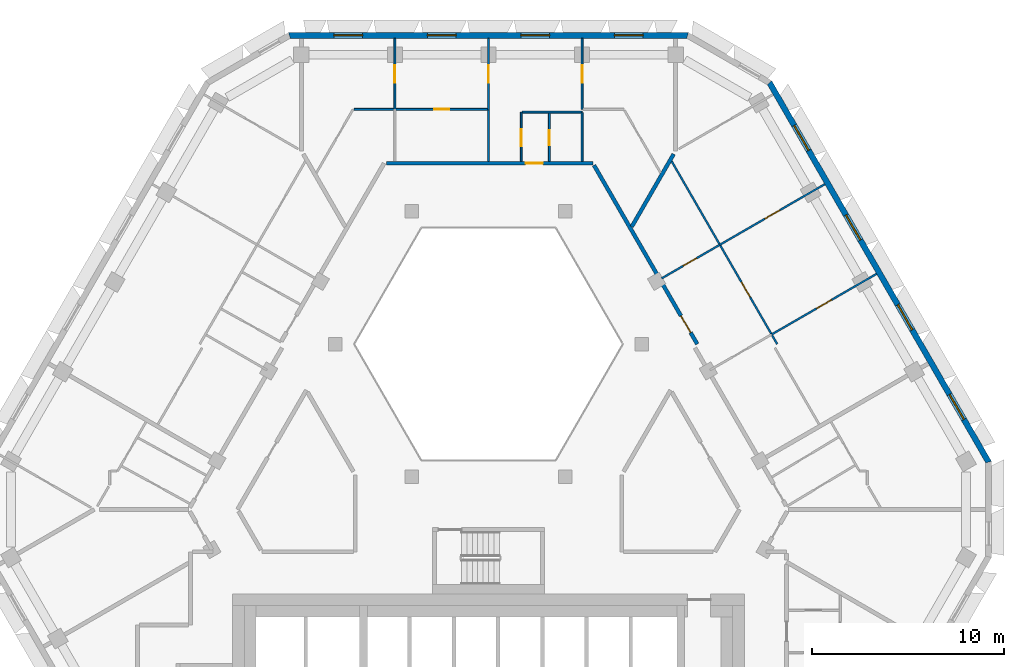
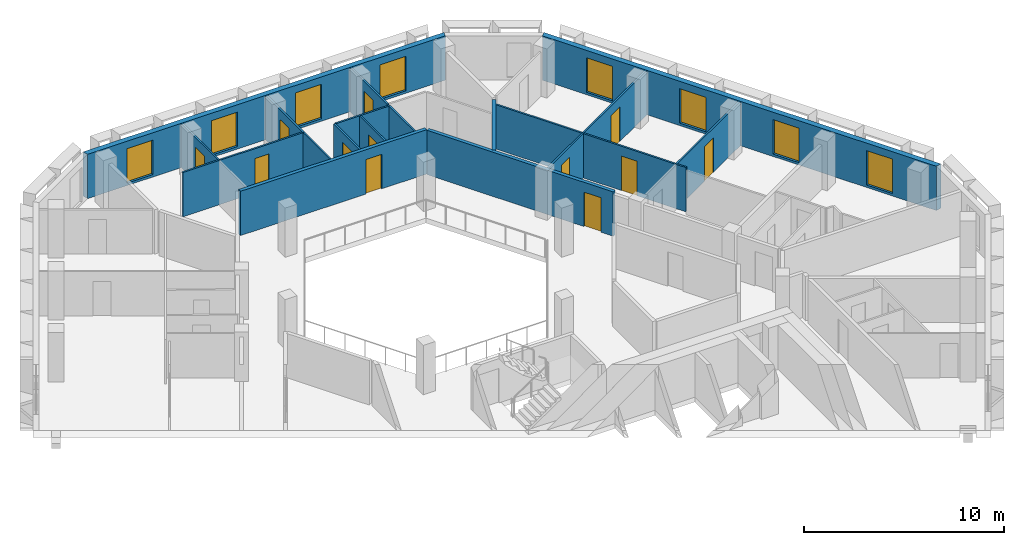
# One storey, part 7 of 15: 18 walls, 12 doors, 8 windows, 20 openings.
"""IFC4 building model written with IfcOpenShell, lengths in metres."""

from ifc_helpers import new_model, si_unit, direction, frame, frame_2d, origin, place, context, subcontext, project, spatial, polyline, rectangle, outline, extrude, material, layer, layer_set, type_object, element, fill, save


model = new_model("IFC4")

# Units and contexts
model_context = context("Model", 3, precision=1e-05, world=origin(), true_north=direction((0.0, 1.0)))
body_context = subcontext(model_context, "Body", "Model", "MODEL_VIEW")
ifc_project = project(units=[si_unit("LENGTHUNIT", "METRE"), si_unit("AREAUNIT", "SQUARE_METRE"), si_unit("VOLUMEUNIT", "CUBIC_METRE"), si_unit("PLANEANGLEUNIT", "RADIAN"), si_unit("MASSUNIT", "GRAM", prefix="KILO")], contexts=[model_context])

# Site, building, storey
site_placement = place(None, origin())
site = spatial("IfcSite", under=ifc_project, at=site_placement, CompositionType="ELEMENT")
building_placement = place(site_placement, origin())
building = spatial("IfcBuilding", under=site, at=building_placement, Name="Beryl Residences", CompositionType="ELEMENT")
storey_placement = place(building_placement, frame((0.0, 0.0, 193.199951171875)))
storey = spatial("IfcBuildingStorey", under=building, at=storey_placement, Name="L59", CompositionType="ELEMENT", Elevation=193.199951171875)

# Wall, openings, windows
ifc_material_1 = material(Name="Composite metal panel with mineral wool insulation")
ifc_layer_1 = layer(ifc_material_1, 0.300048828125)
ifc_layer_set_1 = layer_set([ifc_layer_1], Name="ES1 pale metal composite panel wall 300 mm")
wall_type_1 = type_object("IfcWallType", Name="ES1 pale metal composite panel wall 300 mm", PredefinedType="SOLIDWALL", material=ifc_layer_set_1)
wall_1_placement = place(storey_placement, frame((10.39208984375, 24.050048828125, 0.0), z_axis=(0.0, 0.0, 1.0), x_axis=(-1.0, 0.0, 0.0)))
wall_1 = element("IfcWall", 1, at=wall_1_placement, inside=storey, type_object=wall_type_1, Name="ES1 external wall L59 N", PredefinedType="SOLIDWALL", context=body_context, shape_type="SweptSolid", body=[
    extrude(outline(polyline([(0.0, -0.14990234375), (20.7841796875, -0.14990234375), (20.703857421875, 0.14990234375), (0.080322265625, 0.14990234375), (0.0, -0.14990234375)])), origin(), (0.0, 0.0, 1.0), 2.699951171875),
])
opening_1_placement = place(wall_1_placement, frame((2.345947265625, 0.0, 0.14990234375)))
opening_1 = element("IfcOpeningElement", 2, at=opening_1_placement, cuts=wall_1, Name="Opening W1", PredefinedType="OPENING", context=body_context, shape_type="SweptSolid", body=[
    extrude(rectangle(XDim=1.5, YDim=2.10009765625, at=frame_2d((0.75, 1.050048828125))), frame((0.0, 0.159912109375, 0.0), z_axis=(0.0, -1.0, 0.0), x_axis=(1.0, 0.0, 0.0)), (0.0, 0.0, 1.0), 0.320068359375),
])
opening_2_placement = place(wall_1_placement, frame((7.2099609375, 0.0, 0.14990234375)))
opening_2 = element("IfcOpeningElement", 3, at=opening_2_placement, cuts=wall_1, Name="Opening W1", PredefinedType="OPENING", context=body_context, shape_type="SweptSolid", body=[
    extrude(rectangle(XDim=1.5, YDim=2.10009765625, at=frame_2d((0.75, 1.050048828125))), frame((0.0, 0.159912109375, 0.0), z_axis=(0.0, -1.0, 0.0), x_axis=(1.0, 0.0, 0.0)), (0.0, 0.0, 1.0), 0.320068359375),
])
opening_3_placement = place(wall_1_placement, frame((12.073974609375, 0.0, 0.14990234375)))
opening_3 = element("IfcOpeningElement", 4, at=opening_3_placement, cuts=wall_1, Name="Opening W1", PredefinedType="OPENING", context=body_context, shape_type="SweptSolid", body=[
    extrude(rectangle(XDim=1.5, YDim=2.10009765625, at=frame_2d((0.75, 1.050048828125))), frame((0.0, 0.159912109375, 0.0), z_axis=(0.0, -1.0, 0.0), x_axis=(1.0, 0.0, 0.0)), (0.0, 0.0, 1.0), 0.320068359375),
])
opening_4_placement = place(wall_1_placement, frame((16.93798828125, 0.0, 0.14990234375)))
opening_4 = element("IfcOpeningElement", 5, at=opening_4_placement, cuts=wall_1, Name="Opening W1", PredefinedType="OPENING", context=body_context, shape_type="SweptSolid", body=[
    extrude(rectangle(XDim=1.5, YDim=2.10009765625, at=frame_2d((0.75, 1.050048828125))), frame((0.0, 0.159912109375, 0.0), z_axis=(0.0, -1.0, 0.0), x_axis=(1.0, 0.0, 0.0)), (0.0, 0.0, 1.0), 0.320068359375),
])
ifc_material_2 = material(Name="Aluminium and clear glass", Category="aluminium")
window_type = type_object("IfcWindowType", Name="W1 cell window 1500 x 2100 mm", PartitioningType="SINGLE_PANEL", PredefinedType="WINDOW", material=ifc_material_2)
window_1_placement = place(opening_1_placement, origin())
window_1 = element("IfcWindow", 6, at=window_1_placement, inside=storey, type_object=window_type, Name="W1 window L59 N 2", OverallHeight=2.10009765625, OverallWidth=1.5, PartitioningType="SINGLE_PANEL", PredefinedType="WINDOW", context=body_context, shape_type="SweptSolid", body=[
    extrude(rectangle(XDim=1.5, YDim=2.10009765625, at=frame_2d((0.75, 1.050048828125))), frame((0.0, 0.030029296875, 0.0), z_axis=(0.0, -1.0, 0.0), x_axis=(1.0, 0.0, 0.0)), (0.0, 0.0, 1.0), 0.06005859375),
])
fill(opening_1, window_1)
window_2_placement = place(opening_2_placement, origin())
window_2 = element("IfcWindow", 7, at=window_2_placement, inside=storey, type_object=window_type, Name="W1 window L59 N 4", OverallHeight=2.10009765625, OverallWidth=1.5, PartitioningType="SINGLE_PANEL", PredefinedType="WINDOW", context=body_context, shape_type="SweptSolid", body=[
    extrude(rectangle(XDim=1.5, YDim=2.10009765625, at=frame_2d((0.75, 1.050048828125))), frame((0.0, 0.030029296875, 0.0), z_axis=(0.0, -1.0, 0.0), x_axis=(1.0, 0.0, 0.0)), (0.0, 0.0, 1.0), 0.06005859375),
])
fill(opening_2, window_2)
window_3_placement = place(opening_3_placement, origin())
window_3 = element("IfcWindow", 8, at=window_3_placement, inside=storey, type_object=window_type, Name="W1 window L59 N 6", OverallHeight=2.10009765625, OverallWidth=1.5, PartitioningType="SINGLE_PANEL", PredefinedType="WINDOW", context=body_context, shape_type="SweptSolid", body=[
    extrude(rectangle(XDim=1.5, YDim=2.10009765625, at=frame_2d((0.75, 1.050048828125))), frame((0.0, 0.030029296875, 0.0), z_axis=(0.0, -1.0, 0.0), x_axis=(1.0, 0.0, 0.0)), (0.0, 0.0, 1.0), 0.06005859375),
])
fill(opening_3, window_3)
window_4_placement = place(opening_4_placement, origin())
window_4 = element("IfcWindow", 9, at=window_4_placement, inside=storey, type_object=window_type, Name="W1 window L59 N 8", OverallHeight=2.10009765625, OverallWidth=1.5, PartitioningType="SINGLE_PANEL", PredefinedType="WINDOW", context=body_context, shape_type="SweptSolid", body=[
    extrude(rectangle(XDim=1.5, YDim=2.10009765625, at=frame_2d((0.75, 1.050048828125))), frame((0.0, 0.030029296875, 0.0), z_axis=(0.0, -1.0, 0.0), x_axis=(1.0, 0.0, 0.0)), (0.0, 0.0, 1.0), 0.06005859375),
])
fill(opening_4, window_4)

wall_2_placement = place(storey_placement, frame((26.02392578125, 1.824951171875, 0.0), z_axis=(0.0, 0.0, 1.0), x_axis=(-0.500010537973, 0.866019319597, 0.0)))
wall_2 = element("IfcWall", 10, at=wall_2_placement, inside=storey, type_object=wall_type_1, Name="ES1 external wall L59 NE", PredefinedType="SOLIDWALL", context=body_context, shape_type="SweptSolid", body=[
    extrude(outline(polyline([(0.0, -0.14990234375), (22.86328125, -0.14990234375), (22.782958984375, 0.14990234375), (0.080322265625, 0.14990234375), (0.0, -0.14990234375)])), origin(), (0.0, 0.0, 1.0), 2.699951171875),
])
opening_5_placement = place(wall_2_placement, frame((2.60595703125, 0.0, 0.14990234375)))
opening_5 = element("IfcOpeningElement", 11, at=opening_5_placement, cuts=wall_2, Name="Opening W1", PredefinedType="OPENING", context=body_context, shape_type="SweptSolid", body=[
    extrude(rectangle(XDim=1.5, YDim=2.10009765625, at=frame_2d((0.75, 1.050048828125))), frame((0.0, 0.159912109375, 0.0), z_axis=(0.0, -1.0, 0.0), x_axis=(1.0, 0.0, 0.0)), (0.0, 0.0, 1.0), 0.320068359375),
])
opening_6_placement = place(wall_2_placement, frame((7.989990234375, 0.0, 0.14990234375)))
opening_6 = element("IfcOpeningElement", 12, at=opening_6_placement, cuts=wall_2, Name="Opening W1", PredefinedType="OPENING", context=body_context, shape_type="SweptSolid", body=[
    extrude(rectangle(XDim=1.5, YDim=2.10009765625, at=frame_2d((0.75, 1.050048828125))), frame((0.0, 0.159912109375, 0.0), z_axis=(0.0, -1.0, 0.0), x_axis=(1.0, 0.0, 0.0)), (0.0, 0.0, 1.0), 0.320068359375),
])
opening_7_placement = place(wall_2_placement, frame((13.373046875, 0.0, 0.14990234375)))
opening_7 = element("IfcOpeningElement", 13, at=opening_7_placement, cuts=wall_2, Name="Opening W1", PredefinedType="OPENING", context=body_context, shape_type="SweptSolid", body=[
    extrude(rectangle(XDim=1.5, YDim=2.10009765625, at=frame_2d((0.75, 1.050048828125))), frame((0.0, 0.159912109375, 0.0), z_axis=(0.0, -1.0, 0.0), x_axis=(1.0, 0.0, 0.0)), (0.0, 0.0, 1.0), 0.320068359375),
])
opening_8_placement = place(wall_2_placement, frame((18.758056640625, 0.0, 0.14990234375)))
opening_8 = element("IfcOpeningElement", 14, at=opening_8_placement, cuts=wall_2, Name="Opening W1", PredefinedType="OPENING", context=body_context, shape_type="SweptSolid", body=[
    extrude(rectangle(XDim=1.5, YDim=2.10009765625, at=frame_2d((0.75, 1.050048828125))), frame((0.0, 0.159912109375, 0.0), z_axis=(0.0, -1.0, 0.0), x_axis=(1.0, 0.0, 0.0)), (0.0, 0.0, 1.0), 0.320068359375),
])
window_5_placement = place(opening_5_placement, origin())
window_5 = element("IfcWindow", 15, at=window_5_placement, inside=storey, type_object=window_type, Name="W1 window L59 NE 2", OverallHeight=2.10009765625, OverallWidth=1.5, PartitioningType="SINGLE_PANEL", PredefinedType="WINDOW", context=body_context, shape_type="SweptSolid", body=[
    extrude(rectangle(XDim=1.5, YDim=2.10009765625, at=frame_2d((0.75, 1.050048828125))), frame((0.0, 0.030029296875, 0.0), z_axis=(0.0, -1.0, 0.0), x_axis=(1.0, 0.0, 0.0)), (0.0, 0.0, 1.0), 0.06005859375),
])
fill(opening_5, window_5)
window_6_placement = place(opening_6_placement, origin())
window_6 = element("IfcWindow", 16, at=window_6_placement, inside=storey, type_object=window_type, Name="W1 window L59 NE 4", OverallHeight=2.10009765625, OverallWidth=1.5, PartitioningType="SINGLE_PANEL", PredefinedType="WINDOW", context=body_context, shape_type="SweptSolid", body=[
    extrude(rectangle(XDim=1.5, YDim=2.10009765625, at=frame_2d((0.75, 1.050048828125))), frame((0.0, 0.030029296875, 0.0), z_axis=(0.0, -1.0, 0.0), x_axis=(1.0, 0.0, 0.0)), (0.0, 0.0, 1.0), 0.06005859375),
])
fill(opening_6, window_6)
window_7_placement = place(opening_7_placement, origin())
window_7 = element("IfcWindow", 17, at=window_7_placement, inside=storey, type_object=window_type, Name="W1 window L59 NE 6", OverallHeight=2.10009765625, OverallWidth=1.5, PartitioningType="SINGLE_PANEL", PredefinedType="WINDOW", context=body_context, shape_type="SweptSolid", body=[
    extrude(rectangle(XDim=1.5, YDim=2.10009765625, at=frame_2d((0.75, 1.050048828125))), frame((0.0, 0.030029296875, 0.0), z_axis=(0.0, -1.0, 0.0), x_axis=(1.0, 0.0, 0.0)), (0.0, 0.0, 1.0), 0.06005859375),
])
fill(opening_7, window_7)
window_8_placement = place(opening_8_placement, origin())
window_8 = element("IfcWindow", 18, at=window_8_placement, inside=storey, type_object=window_type, Name="W1 window L59 NE 8", OverallHeight=2.10009765625, OverallWidth=1.5, PartitioningType="SINGLE_PANEL", PredefinedType="WINDOW", context=body_context, shape_type="SweptSolid", body=[
    extrude(rectangle(XDim=1.5, YDim=2.10009765625, at=frame_2d((0.75, 1.050048828125))), frame((0.0, 0.030029296875, 0.0), z_axis=(0.0, -1.0, 0.0), x_axis=(1.0, 0.0, 0.0)), (0.0, 0.0, 1.0), 0.06005859375),
])
fill(opening_8, window_8)

# Wall, opening, door
ifc_material_3 = material(Name="Gypsum board partition on steel studs", Category="steel")
ifc_layer_2 = layer(ifc_material_3, 0.10009765625)
ifc_layer_set_2 = layer_set([ifc_layer_2], Name="PT1 partition 100 mm gypsum board on steel studs")
wall_type_2 = type_object("IfcWallType", Name="PT1 partition 100 mm gypsum board on steel studs", PredefinedType="PARTITIONING", material=ifc_layer_set_2)
wall_3_placement = place(storey_placement, frame((9.52587890625, 17.5, 0.0), z_axis=(0.0, 0.0, 1.0), x_axis=(0.500019134094, -0.866014356428, 0.0)))
wall_3 = element("IfcWall", 19, at=wall_3_placement, inside=storey, type_object=wall_type_2, Name="Wall PT1 L59 003", PredefinedType="PARTITIONING", context=body_context, shape_type="SweptSolid", body=[
    extrude(rectangle(XDim=10.9697265625, YDim=0.10009765625, at=frame_2d((5.48486328125, 0.0))), origin(), (0.0, 0.0, 1.0), 2.699951171875),
])
opening_9_placement = place(wall_3_placement, frame((7.25, 0.0, 0.0)))
opening_9 = element("IfcOpeningElement", 20, at=opening_9_placement, cuts=wall_3, Name="Opening D1702", PredefinedType="OPENING", context=body_context, shape_type="SweptSolid", body=[
    extrude(rectangle(XDim=0.89990234375, YDim=2.10009765625, at=frame_2d((0.449951171875, 1.050048828125))), frame((0.0, 0.06005859375, 0.0), z_axis=(0.0, -1.0, 0.0), x_axis=(1.0, 0.0, 0.0)), (0.0, 0.0, 1.0), 0.1201171875),
])
ifc_material_4 = material(Name="Timber door leaf", Category="wood")
door_type_1 = type_object("IfcDoorType", Name="D2 room door 900 x 2100 mm", OperationType="SINGLE_SWING_LEFT", PredefinedType="DOOR", material=ifc_material_4)
door_1_placement = place(opening_9_placement, origin())
door_1 = element("IfcDoor", 21, at=door_1_placement, inside=storey, type_object=door_type_1, Name="Door D1702 L59 001", OperationType="SINGLE_SWING_RIGHT", OverallHeight=2.10009765625, OverallWidth=0.89990234375, PredefinedType="DOOR", context=body_context, shape_type="SweptSolid", body=[
    extrude(rectangle(XDim=0.89990234375, YDim=2.10009765625, at=frame_2d((0.449951171875, 1.050048828125))), frame((0.0, 0.02490234375, 0.0), z_axis=(0.0, -1.0, 0.0), x_axis=(1.0, 0.0, 0.0)), (0.0, 0.0, 1.0), 0.050048828125),
])
fill(opening_9, door_1)

# Walls
wall_4_placement = place(storey_placement, frame((0.0, 20.169921875, 0.0), z_axis=(0.0, 0.0, 1.0), x_axis=(0.0, -1.0, 0.0)))
element("IfcWall", 22, at=wall_4_placement, inside=storey, type_object=wall_type_2, Name="Wall PT1 L59 006", PredefinedType="PARTITIONING", context=body_context, shape_type="SweptSolid", body=[
    extrude(rectangle(XDim=2.669921875, YDim=0.10009765625, at=frame_2d((1.3349609375, 0.0))), origin(), (0.0, 0.0, 1.0), 2.699951171875),
])
wall_5_placement = place(storey_placement, frame((4.864013671875, 20.030029296875, 0.0), z_axis=(0.0, 0.0, 1.0), x_axis=(0.0, -1.0, 0.0)))
element("IfcWall", 23, at=wall_5_placement, inside=storey, type_object=wall_type_2, Name="Wall PT1 L59 007", PredefinedType="PARTITIONING", context=body_context, shape_type="SweptSolid", body=[
    extrude(rectangle(XDim=2.530029296875, YDim=0.10009765625, at=frame_2d((1.26513671875, 0.0))), origin(), (0.0, 0.0, 1.0), 2.699951171875),
])
wall_6_placement = place(storey_placement, frame((1.7529296875, 20.06005859375, 0.0), z_axis=(0.0, 0.0, 1.0), x_axis=(1.0, 0.0, 0.0)))
element("IfcWall", 24, at=wall_6_placement, inside=storey, type_object=wall_type_2, Name="Wall PT1 L59 021", PredefinedType="PARTITIONING", context=body_context, shape_type="SweptSolid", body=[
    extrude(rectangle(XDim=3.111083984375, YDim=0.10009765625, at=frame_2d((1.5556640625, 0.0))), origin(), (0.0, 0.0, 1.0), 2.699951171875),
])

# Wall, opening, door
wall_7_placement = place(storey_placement, frame((-6.985107421875, 20.199951171875, 0.0), z_axis=(0.0, 0.0, 1.0), x_axis=(1.0, 0.0, 0.0)))
wall_7 = element("IfcWall", 25, at=wall_7_placement, inside=storey, type_object=wall_type_2, Name="Wall PT1 L59 022", PredefinedType="PARTITIONING", context=body_context, shape_type="SweptSolid", body=[
    extrude(rectangle(XDim=6.93505859375, YDim=0.10009765625, at=frame_2d((3.467529296875, 0.0))), origin(), (0.0, 0.0, 1.0), 2.699951171875),
])
opening_10_placement = place(wall_7_placement, frame((4.153076171875, 0.0, 0.0)))
opening_10 = element("IfcOpeningElement", 26, at=opening_10_placement, cuts=wall_7, Name="Opening D1714", PredefinedType="OPENING", context=body_context, shape_type="SweptSolid", body=[
    extrude(rectangle(XDim=0.800048828125, YDim=2.10009765625, at=frame_2d((0.39990234375, 1.050048828125))), frame((0.0, 0.06005859375, 0.0), z_axis=(0.0, -1.0, 0.0), x_axis=(1.0, 0.0, 0.0)), (0.0, 0.0, 1.0), 0.1201171875),
])
ifc_material_5 = material(Name="Timber door leaf", Category="wood")
door_type_2 = type_object("IfcDoorType", Name="D3 bathroom door 800 x 2100 mm", OperationType="SINGLE_SWING_LEFT", PredefinedType="DOOR", material=ifc_material_5)
door_2_placement = place(opening_10_placement, origin())
door_2 = element("IfcDoor", 27, at=door_2_placement, inside=storey, type_object=door_type_2, Name="Door D1714 L59 001", OperationType="SINGLE_SWING_RIGHT", OverallHeight=2.10009765625, OverallWidth=0.800048828125, PredefinedType="DOOR", context=body_context, shape_type="SweptSolid", body=[
    extrude(rectangle(XDim=0.800048828125, YDim=2.10009765625, at=frame_2d((0.39990234375, 1.050048828125))), frame((0.0, 0.02490234375, 0.0), z_axis=(0.0, -1.0, 0.0), x_axis=(1.0, 0.0, 0.0)), (0.0, 0.0, 1.0), 0.050048828125),
])
fill(opening_10, door_2)

wall_8_placement = place(storey_placement, frame((3.162109375, 17.5, 0.0), z_axis=(0.0, 0.0, 1.0), x_axis=(0.0, 1.0, 0.0)))
wall_8 = element("IfcWall", 28, at=wall_8_placement, inside=storey, type_object=wall_type_2, Name="Wall PT1 L59 029", PredefinedType="PARTITIONING", context=body_context, shape_type="SweptSolid", body=[
    extrude(rectangle(XDim=2.510009765625, YDim=0.10009765625, at=frame_2d((1.2548828125, 0.0))), origin(), (0.0, 0.0, 1.0), 2.699951171875),
])
opening_11_placement = place(wall_8_placement, frame((0.830078125, 0.0, 0.0)))
opening_11 = element("IfcOpeningElement", 29, at=opening_11_placement, cuts=wall_8, Name="Opening D1710", PredefinedType="OPENING", context=body_context, shape_type="SweptSolid", body=[
    extrude(rectangle(XDim=0.800048828125, YDim=2.10009765625, at=frame_2d((0.39990234375, 1.050048828125))), frame((0.0, 0.06005859375, 0.0), z_axis=(0.0, -1.0, 0.0), x_axis=(1.0, 0.0, 0.0)), (0.0, 0.0, 1.0), 0.1201171875),
])
door_3_placement = place(opening_11_placement, origin())
door_3 = element("IfcDoor", 30, at=door_3_placement, inside=storey, type_object=door_type_2, Name="Door D1710 L59 001", OperationType="SINGLE_SWING_RIGHT", OverallHeight=2.10009765625, OverallWidth=0.800048828125, PredefinedType="DOOR", context=body_context, shape_type="SweptSolid", body=[
    extrude(rectangle(XDim=0.800048828125, YDim=2.10009765625, at=frame_2d((0.39990234375, 1.050048828125))), frame((0.0, 0.02490234375, 0.0), z_axis=(0.0, -1.0, 0.0), x_axis=(1.0, 0.0, 0.0)), (0.0, 0.0, 1.0), 0.050048828125),
])
fill(opening_11, door_3)

wall_9_placement = place(storey_placement, frame((4.864013671875, 20.199951171875, 0.0), z_axis=(0.0, 0.0, 1.0), x_axis=(0.0, 1.0, 0.0)))
wall_9 = element("IfcWall", 31, at=wall_9_placement, inside=storey, type_object=wall_type_2, Name="Wall PT1 L59 030", PredefinedType="PARTITIONING", context=body_context, shape_type="SweptSolid", body=[
    extrude(rectangle(XDim=3.699951171875, YDim=0.10009765625, at=frame_2d((1.85009765625, 0.0))), origin(), (0.0, 0.0, 1.0), 2.699951171875),
])
opening_12_placement = place(wall_9_placement, frame((1.39990234375, 0.0, 0.0)))
opening_12 = element("IfcOpeningElement", 32, at=opening_12_placement, cuts=wall_9, Name="Opening D1712", PredefinedType="OPENING", context=body_context, shape_type="SweptSolid", body=[
    extrude(rectangle(XDim=0.89990234375, YDim=2.10009765625, at=frame_2d((0.449951171875, 1.050048828125))), frame((0.0, 0.06005859375, 0.0), z_axis=(0.0, -1.0, 0.0), x_axis=(1.0, 0.0, 0.0)), (0.0, 0.0, 1.0), 0.1201171875),
])
door_4_placement = place(opening_12_placement, origin())
door_4 = element("IfcDoor", 33, at=door_4_placement, inside=storey, type_object=door_type_1, Name="Door D1712 L59 001", OperationType="SINGLE_SWING_RIGHT", OverallHeight=2.10009765625, OverallWidth=0.89990234375, PredefinedType="DOOR", context=body_context, shape_type="SweptSolid", body=[
    extrude(rectangle(XDim=0.89990234375, YDim=2.10009765625, at=frame_2d((0.449951171875, 1.050048828125))), frame((0.0, 0.02490234375, 0.0), z_axis=(0.0, -1.0, 0.0), x_axis=(1.0, 0.0, 0.0)), (0.0, 0.0, 1.0), 0.050048828125),
])
fill(opening_12, door_4)

wall_10_placement = place(storey_placement, frame((1.701904296875, 17.5, 0.0), z_axis=(0.0, 0.0, 1.0), x_axis=(0.0, 1.0, 0.0)))
wall_10 = element("IfcWall", 34, at=wall_10_placement, inside=storey, type_object=wall_type_2, Name="Wall PT1 L59 031", PredefinedType="PARTITIONING", context=body_context, shape_type="SweptSolid", body=[
    extrude(rectangle(XDim=2.55908203125, YDim=0.10009765625, at=frame_2d((1.279541015625, 0.0))), origin(), (0.0, 0.0, 1.0), 2.699951171875),
])
opening_13_placement = place(wall_10_placement, frame((0.780029296875, 0.0, 0.0)))
opening_13 = element("IfcOpeningElement", 35, at=opening_13_placement, cuts=wall_10, Name="Opening D1709", PredefinedType="OPENING", context=body_context, shape_type="SweptSolid", body=[
    extrude(rectangle(XDim=0.89990234375, YDim=2.10009765625, at=frame_2d((0.449951171875, 1.050048828125))), frame((0.0, 0.06005859375, 0.0), z_axis=(0.0, -1.0, 0.0), x_axis=(1.0, 0.0, 0.0)), (0.0, 0.0, 1.0), 0.1201171875),
])
door_5_placement = place(opening_13_placement, origin())
door_5 = element("IfcDoor", 36, at=door_5_placement, inside=storey, type_object=door_type_1, Name="Door D1709 L59 001", OperationType="SINGLE_SWING_LEFT", OverallHeight=2.10009765625, OverallWidth=0.89990234375, PredefinedType="DOOR", context=body_context, shape_type="SweptSolid", body=[
    extrude(rectangle(XDim=0.89990234375, YDim=2.10009765625, at=frame_2d((0.449951171875, 1.050048828125))), frame((0.0, 0.02490234375, 0.0), z_axis=(0.0, -1.0, 0.0), x_axis=(1.0, 0.0, 0.0)), (0.0, 0.0, 1.0), 0.050048828125),
])
fill(opening_13, door_5)

wall_11_placement = place(storey_placement, frame((0.0, 20.179931640625, 0.0), z_axis=(0.0, 0.0, 1.0), x_axis=(0.0, 1.0, 0.0)))
wall_11 = element("IfcWall", 37, at=wall_11_placement, inside=storey, type_object=wall_type_2, Name="Wall PT1 L59 034", PredefinedType="PARTITIONING", context=body_context, shape_type="SweptSolid", body=[
    extrude(rectangle(XDim=3.719970703125, YDim=0.10009765625, at=frame_2d((1.85986328125, 0.0))), origin(), (0.0, 0.0, 1.0), 2.699951171875),
])
opening_14_placement = place(wall_11_placement, frame((1.409912109375, 0.0, 0.0)))
opening_14 = element("IfcOpeningElement", 38, at=opening_14_placement, cuts=wall_11, Name="Opening D1711", PredefinedType="OPENING", context=body_context, shape_type="SweptSolid", body=[
    extrude(rectangle(XDim=0.89990234375, YDim=2.10009765625, at=frame_2d((0.449951171875, 1.050048828125))), frame((0.0, 0.06005859375, 0.0), z_axis=(0.0, -1.0, 0.0), x_axis=(1.0, 0.0, 0.0)), (0.0, 0.0, 1.0), 0.1201171875),
])
door_6_placement = place(opening_14_placement, origin())
door_6 = element("IfcDoor", 39, at=door_6_placement, inside=storey, type_object=door_type_1, Name="Door D1711 L59 001", OperationType="SINGLE_SWING_LEFT", OverallHeight=2.10009765625, OverallWidth=0.89990234375, PredefinedType="DOOR", context=body_context, shape_type="SweptSolid", body=[
    extrude(rectangle(XDim=0.89990234375, YDim=2.10009765625, at=frame_2d((0.449951171875, 1.050048828125))), frame((0.0, 0.02490234375, 0.0), z_axis=(0.0, -1.0, 0.0), x_axis=(1.0, 0.0, 0.0)), (0.0, 0.0, 1.0), 0.050048828125),
])
fill(opening_14, door_6)

wall_12_placement = place(storey_placement, frame((8.9990234375, 11.4130859375, 0.0), z_axis=(0.0, 0.0, 1.0), x_axis=(0.866019471182, 0.500010275428, 0.0)))
wall_12 = element("IfcWall", 40, at=wall_12_placement, inside=storey, type_object=wall_type_2, Name="Wall PT1 L59 038", PredefinedType="PARTITIONING", context=body_context, shape_type="SweptSolid", body=[
    extrude(rectangle(XDim=3.5, YDim=0.10009765625, at=frame_2d((1.75, 0.0))), origin(), (0.0, 0.0, 1.0), 2.699951171875),
])
opening_15_placement = place(wall_12_placement, frame((1.300048828125, 0.0, 0.0)))
opening_15 = element("IfcOpeningElement", 41, at=opening_15_placement, cuts=wall_12, Name="Opening D1704", PredefinedType="OPENING", context=body_context, shape_type="SweptSolid", body=[
    extrude(rectangle(XDim=0.800048828125, YDim=2.10009765625, at=frame_2d((0.39990234375, 1.050048828125))), frame((0.0, 0.06005859375, 0.0), z_axis=(0.0, -1.0, 0.0), x_axis=(1.0, 0.0, 0.0)), (0.0, 0.0, 1.0), 0.1201171875),
])
door_7_placement = place(opening_15_placement, origin())
door_7 = element("IfcDoor", 42, at=door_7_placement, inside=storey, type_object=door_type_2, Name="Door D1704 L59 001", OperationType="SINGLE_SWING_RIGHT", OverallHeight=2.10009765625, OverallWidth=0.800048828125, PredefinedType="DOOR", context=body_context, shape_type="SweptSolid", body=[
    extrude(rectangle(XDim=0.800048828125, YDim=2.10009765625, at=frame_2d((0.39990234375, 1.050048828125))), frame((0.0, 0.02490234375, 0.0), z_axis=(0.0, -1.0, 0.0), x_axis=(1.0, 0.0, 0.0)), (0.0, 0.0, 1.0), 0.050048828125),
])
fill(opening_15, door_7)

wall_13_placement = place(storey_placement, frame((14.721923828125, 8.5, 0.0), z_axis=(0.0, 0.0, 1.0), x_axis=(0.866035871367, 0.499981869177, 0.0)))
wall_13 = element("IfcWall", 43, at=wall_13_placement, inside=storey, type_object=wall_type_2, Name="Wall PT1 L59 042", PredefinedType="PARTITIONING", context=body_context, shape_type="SweptSolid", body=[
    extrude(rectangle(XDim=6.300048828125, YDim=0.10009765625, at=frame_2d((3.14990234375, 0.0))), origin(), (0.0, 0.0, 1.0), 2.699951171875),
])
opening_16_placement = place(wall_13_placement, frame((2.699951171875, 0.0, 0.0)))
opening_16 = element("IfcOpeningElement", 44, at=opening_16_placement, cuts=wall_13, Name="Opening D1705", PredefinedType="OPENING", context=body_context, shape_type="SweptSolid", body=[
    extrude(rectangle(XDim=0.89990234375, YDim=2.10009765625, at=frame_2d((0.449951171875, 1.050048828125))), frame((0.0, 0.06005859375, 0.0), z_axis=(0.0, -1.0, 0.0), x_axis=(1.0, 0.0, 0.0)), (0.0, 0.0, 1.0), 0.1201171875),
])
door_8_placement = place(opening_16_placement, origin())
door_8 = element("IfcDoor", 45, at=door_8_placement, inside=storey, type_object=door_type_1, Name="Door D1705 L59 001", OperationType="SINGLE_SWING_LEFT", OverallHeight=2.10009765625, OverallWidth=0.89990234375, PredefinedType="DOOR", context=body_context, shape_type="SweptSolid", body=[
    extrude(rectangle(XDim=0.89990234375, YDim=2.10009765625, at=frame_2d((0.449951171875, 1.050048828125))), frame((0.0, 0.02490234375, 0.0), z_axis=(0.0, -1.0, 0.0), x_axis=(1.0, 0.0, 0.0)), (0.0, 0.0, 1.0), 0.050048828125),
])
fill(opening_16, door_8)

wall_14_placement = place(storey_placement, frame((12.030029296875, 13.1630859375, 0.0), z_axis=(0.0, 0.0, 1.0), x_axis=(0.866035871367, 0.499981869177, 0.0)))
wall_14 = element("IfcWall", 46, at=wall_14_placement, inside=storey, type_object=wall_type_2, Name="Wall PT1 L59 043", PredefinedType="PARTITIONING", context=body_context, shape_type="SweptSolid", body=[
    extrude(rectangle(XDim=6.300048828125, YDim=0.10009765625, at=frame_2d((3.14990234375, 0.0))), origin(), (0.0, 0.0, 1.0), 2.699951171875),
])
opening_17_placement = place(wall_14_placement, frame((2.699951171875, 0.0, 0.0)))
opening_17 = element("IfcOpeningElement", 47, at=opening_17_placement, cuts=wall_14, Name="Opening D1706", PredefinedType="OPENING", context=body_context, shape_type="SweptSolid", body=[
    extrude(rectangle(XDim=0.89990234375, YDim=2.10009765625, at=frame_2d((0.449951171875, 1.050048828125))), frame((0.0, 0.06005859375, 0.0), z_axis=(0.0, -1.0, 0.0), x_axis=(1.0, 0.0, 0.0)), (0.0, 0.0, 1.0), 0.1201171875),
])
door_9_placement = place(opening_17_placement, origin())
door_9 = element("IfcDoor", 48, at=door_9_placement, inside=storey, type_object=door_type_1, Name="Door D1706 L59 001", OperationType="SINGLE_SWING_RIGHT", OverallHeight=2.10009765625, OverallWidth=0.89990234375, PredefinedType="DOOR", context=body_context, shape_type="SweptSolid", body=[
    extrude(rectangle(XDim=0.89990234375, YDim=2.10009765625, at=frame_2d((0.449951171875, 1.050048828125))), frame((0.0, 0.02490234375, 0.0), z_axis=(0.0, -1.0, 0.0), x_axis=(1.0, 0.0, 0.0)), (0.0, 0.0, 1.0), 0.050048828125),
])
fill(opening_17, door_9)

wall_15_placement = place(storey_placement, frame((-4.864013671875, 20.199951171875, 0.0), z_axis=(0.0, 0.0, 1.0), x_axis=(0.0, 1.0, 0.0)))
wall_15 = element("IfcWall", 49, at=wall_15_placement, inside=storey, type_object=wall_type_2, Name="Wall PT1 L59 045", PredefinedType="PARTITIONING", context=body_context, shape_type="SweptSolid", body=[
    extrude(rectangle(XDim=3.699951171875, YDim=0.10009765625, at=frame_2d((1.85009765625, 0.0))), origin(), (0.0, 0.0, 1.0), 2.699951171875),
])
opening_18_placement = place(wall_15_placement, frame((1.39990234375, 0.0, 0.0)))
opening_18 = element("IfcOpeningElement", 50, at=opening_18_placement, cuts=wall_15, Name="Opening D1715", PredefinedType="OPENING", context=body_context, shape_type="SweptSolid", body=[
    extrude(rectangle(XDim=0.89990234375, YDim=2.10009765625, at=frame_2d((0.449951171875, 1.050048828125))), frame((0.0, 0.06005859375, 0.0), z_axis=(0.0, -1.0, 0.0), x_axis=(1.0, 0.0, 0.0)), (0.0, 0.0, 1.0), 0.1201171875),
])
door_10_placement = place(opening_18_placement, origin())
door_10 = element("IfcDoor", 51, at=door_10_placement, inside=storey, type_object=door_type_1, Name="Door D1715 L59 001", OperationType="SINGLE_SWING_LEFT", OverallHeight=2.10009765625, OverallWidth=0.89990234375, PredefinedType="DOOR", context=body_context, shape_type="SweptSolid", body=[
    extrude(rectangle(XDim=0.89990234375, YDim=2.10009765625, at=frame_2d((0.449951171875, 1.050048828125))), frame((0.0, 0.02490234375, 0.0), z_axis=(0.0, -1.0, 0.0), x_axis=(1.0, 0.0, 0.0)), (0.0, 0.0, 1.0), 0.050048828125),
])
fill(opening_18, door_10)

# Wall
ifc_material_6 = material(Name="Acoustic double stud gypsum board wall")
ifc_layer_3 = layer(ifc_material_6, 0.199951171875)
ifc_layer_set_3 = layer_set([ifc_layer_3], Name="PT3 party wall 200 mm acoustic double stud")
wall_type_3 = type_object("IfcWallType", Name="PT3 party wall 200 mm acoustic double stud", PredefinedType="PARTITIONING", material=ifc_layer_set_3)
wall_16_placement = place(storey_placement, frame((7.447998046875, 14.10009765625, 0.0), z_axis=(0.0, 0.0, 1.0), x_axis=(0.499961462843, 0.866047652079, 0.0)))
element("IfcWall", 52, at=wall_16_placement, inside=storey, type_object=wall_type_3, Name="Wall PT3 L59 007", PredefinedType="PARTITIONING", context=body_context, shape_type="SweptSolid", body=[
    extrude(rectangle(XDim=4.362060546875, YDim=0.199951171875, at=frame_2d((2.18115234375, 0.0))), origin(), (0.0, 0.0, 1.0), 2.699951171875),
])

# Wall, opening, door
ifc_material_7 = material(Name="Double stud gypsum board wall")
ifc_layer_4 = layer(ifc_material_7, 0.199951171875)
ifc_layer_set_4 = layer_set([ifc_layer_4], Name="PT4 corridor wall 200 mm double stud")
wall_type_4 = type_object("IfcWallType", Name="PT4 corridor wall 200 mm double stud", PredefinedType="PARTITIONING", material=ifc_layer_set_4)
wall_17_placement = place(storey_placement, frame((5.485107421875, 17.300048828125, 0.0), z_axis=(0.0, 0.0, 1.0), x_axis=(0.499965832213, -0.866045129667, 0.0)))
wall_17 = element("IfcWall", 53, at=wall_17_placement, inside=storey, type_object=wall_type_4, Name="Wall PT4 L59 006", PredefinedType="PARTITIONING", context=body_context, shape_type="SweptSolid", body=[
    extrude(rectangle(XDim=10.738525390625, YDim=0.199951171875, at=frame_2d((5.369140625, 0.0))), origin(), (0.0, 0.0, 1.0), 2.699951171875),
])
opening_19_placement = place(wall_17_placement, frame((9.047119140625, 0.0, 0.0)))
opening_19 = element("IfcOpeningElement", 54, at=opening_19_placement, cuts=wall_17, Name="Opening D1701", PredefinedType="OPENING", context=body_context, shape_type="SweptSolid", body=[
    extrude(rectangle(XDim=1.0, YDim=2.10009765625, at=frame_2d((0.5, 1.050048828125))), frame((0.0, 0.10986328125, 0.0), z_axis=(0.0, -1.0, 0.0), x_axis=(1.0, 0.0, 0.0)), (0.0, 0.0, 1.0), 0.219970703125),
])
ifc_material_8 = material(Name="Timber door leaf", Category="wood")
door_type_3 = type_object("IfcDoorType", Name="D1 flat entrance door 1000 x 2100 mm", OperationType="SINGLE_SWING_LEFT", PredefinedType="DOOR", material=ifc_material_8)
door_11_placement = place(opening_19_placement, origin())
door_11 = element("IfcDoor", 55, at=door_11_placement, inside=storey, type_object=door_type_3, Name="Door D1701 L59 001", OperationType="SINGLE_SWING_LEFT", OverallHeight=2.10009765625, OverallWidth=1.0, PredefinedType="DOOR", context=body_context, shape_type="SweptSolid", body=[
    extrude(rectangle(XDim=1.0, YDim=2.10009765625, at=frame_2d((0.5, 1.050048828125))), frame((0.0, 0.02490234375, 0.0), z_axis=(0.0, -1.0, 0.0), x_axis=(1.0, 0.0, 0.0)), (0.0, 0.0, 1.0), 0.050048828125),
])
fill(opening_19, door_11)

wall_18_placement = place(storey_placement, frame((-5.31103515625, 17.39990234375, 0.0), z_axis=(0.0, 0.0, 1.0), x_axis=(1.0, 0.0, 0.0)))
wall_18 = element("IfcWall", 56, at=wall_18_placement, inside=storey, type_object=wall_type_4, Name="Wall PT4 L59 014", PredefinedType="PARTITIONING", context=body_context, shape_type="SweptSolid", body=[
    extrude(rectangle(XDim=10.737060546875, YDim=0.199951171875, at=frame_2d((5.36865234375, 0.0))), origin(), (0.0, 0.0, 1.0), 2.699951171875),
])
opening_20_placement = place(wall_18_placement, frame((7.242919921875, 0.0, 0.0)))
opening_20 = element("IfcOpeningElement", 57, at=opening_20_placement, cuts=wall_18, Name="Opening D1708", PredefinedType="OPENING", context=body_context, shape_type="SweptSolid", body=[
    extrude(rectangle(XDim=0.89990234375, YDim=2.10009765625, at=frame_2d((0.449951171875, 1.050048828125))), frame((0.0, 0.10986328125, 0.0), z_axis=(0.0, -1.0, 0.0), x_axis=(1.0, 0.0, 0.0)), (0.0, 0.0, 1.0), 0.219970703125),
])
ifc_material_9 = material(Name="Timber door leaf", Category="wood")
door_type_4 = type_object("IfcDoorType", Name="D11 flat entrance door 900 x 2100 mm", OperationType="SINGLE_SWING_LEFT", PredefinedType="DOOR", material=ifc_material_9)
door_12_placement = place(opening_20_placement, origin())
door_12 = element("IfcDoor", 58, at=door_12_placement, inside=storey, type_object=door_type_4, Name="Door D1708 L59 001", OperationType="SINGLE_SWING_RIGHT", OverallHeight=2.10009765625, OverallWidth=0.89990234375, PredefinedType="DOOR", context=body_context, shape_type="SweptSolid", body=[
    extrude(rectangle(XDim=0.89990234375, YDim=2.10009765625, at=frame_2d((0.449951171875, 1.050048828125))), frame((0.0, 0.02490234375, 0.0), z_axis=(0.0, -1.0, 0.0), x_axis=(1.0, 0.0, 0.0)), (0.0, 0.0, 1.0), 0.050048828125),
])
fill(opening_20, door_12)

save(model, "model.ifc")
